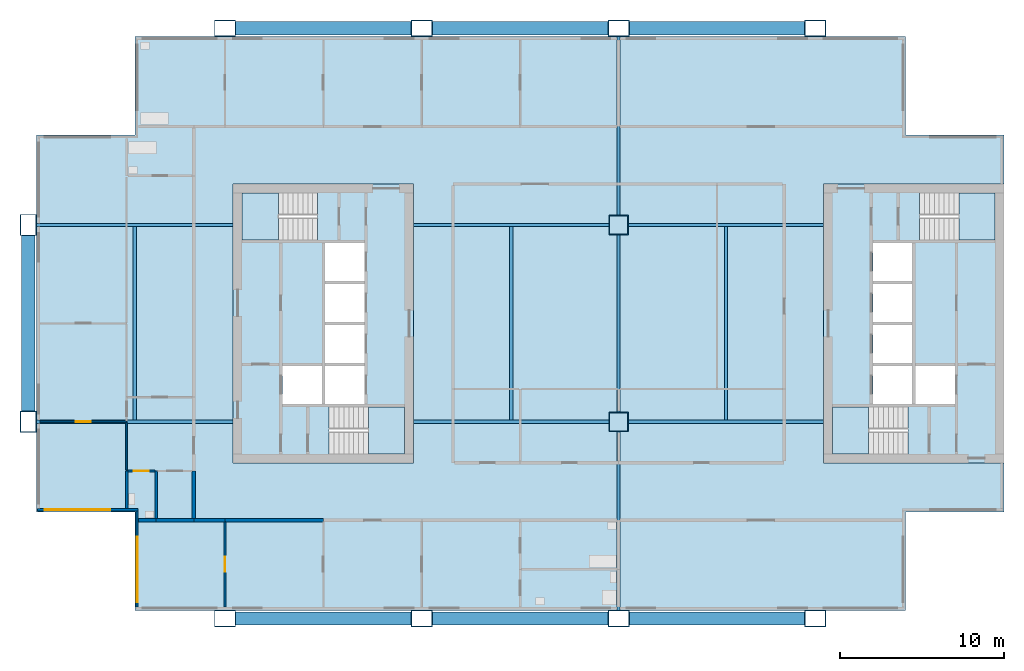
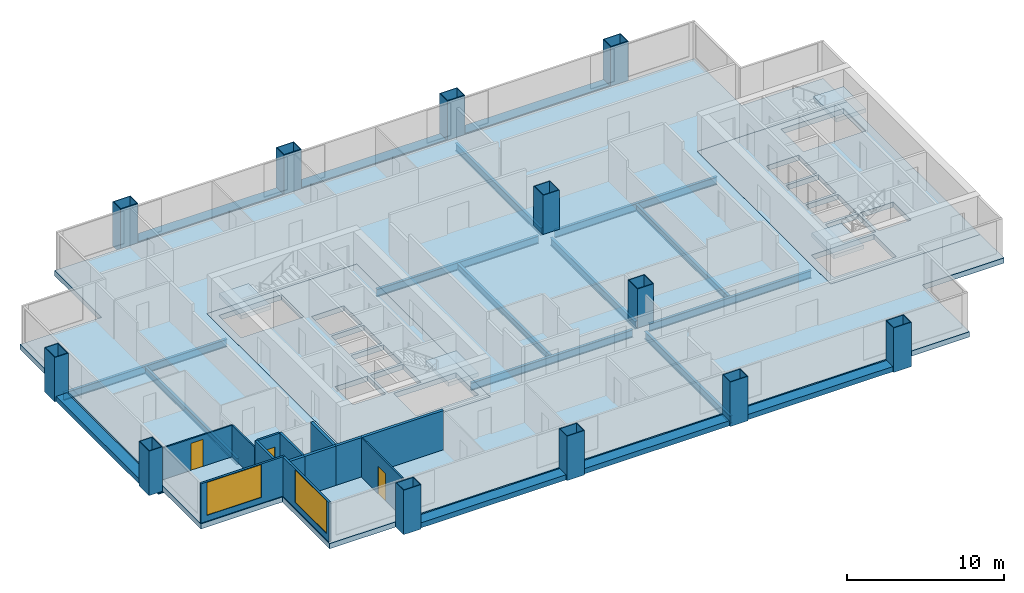
# One storey, part 1 of 8: 19 beams, 13 walls, 12 columns, 7 slabs, 3 doors, 2 windows, 5 openings, 4 elements without a shape of their own.
"""IFC4 building model written with IfcOpenShell, lengths in metres."""

from ifc_helpers import new_model, si_unit, direction, frame, frame_2d, origin, origin_2d, place, context, subcontext, project, spatial, polyline, rectangle, hollow_rectangle, i_section, outline, extrude, material, layer, layer_set, material_profile, profile_set, type_object, element, fill, aggregate, save


model = new_model("IFC4")

# Units and contexts
model_context = context("Model", 3, precision=1e-05, world=origin(), true_north=direction((0.0, 1.0)))
body_context = subcontext(model_context, "Body", "Model", "MODEL_VIEW")
ifc_project = project(units=[si_unit("LENGTHUNIT", "METRE"), si_unit("AREAUNIT", "SQUARE_METRE"), si_unit("VOLUMEUNIT", "CUBIC_METRE"), si_unit("PLANEANGLEUNIT", "RADIAN"), si_unit("MASSUNIT", "GRAM", prefix="KILO")], contexts=[model_context])

# Site, building, storey
site_placement = place(None, origin())
site = spatial("IfcSite", under=ifc_project, at=site_placement, CompositionType="ELEMENT")
building_placement = place(site_placement, origin())
building = spatial("IfcBuilding", under=site, at=building_placement, Name="Kitamizu Gate Tower and Museum", CompositionType="ELEMENT")
storey_placement = place(building_placement, frame((0.0, 0.0, 161.699951171875)))
storey = spatial("IfcBuildingStorey", under=building, at=storey_placement, Name="L42", CompositionType="ELEMENT", Elevation=161.699951171875)

# Columns
ifc_material_1 = material(Name="Steel SM490A bronze coated", Category="steel")
ifc_material_profile_1 = material_profile(ifc_material_1, hollow_rectangle(XDim=1.300048828125, YDim=1.0, WallThickness=0.050048828125, at=origin_2d()), Name="BOX 1300x1000x50")
ifc_profile_set_1 = profile_set([ifc_material_profile_1], Name="Steel SM490A bronze coated")
column_type_1 = type_object("IfcColumnType", Name="Exoskeleton column XC6 BOX 1300x1000x50", PredefinedType="COLUMN", material=ifc_profile_set_1)
for number, where, z_axis, x_axis, name in (
    (1, (0.0, 24.0, -0.39990234375), (0.0, 0.0, 1.0), (0.0, 1.0, 0.0), "Column XC6 1C L42"),
    (2, (0.0, 36.0, -0.39990234375), (0.0, 0.0, 1.0), (0.0, 1.0, 0.0), "Column XC6 1D L42"),
    (3, (12.0, 12.0, -0.39990234375), (0.0, 0.0, 1.0), (1.0, 0.0, 0.0), "Column XC6 2B L42"),
    (4, (12.0, 48.0, -0.39990234375), (0.0, 0.0, 1.0), (1.0, 0.0, 0.0), "Column XC6 2E L42"),
    (5, (24.0, 12.0, -0.39990234375), (0.0, 0.0, 1.0), (1.0, 0.0, 0.0), "Column XC6 3B L42"),
    (6, (24.0, 48.0, -0.39990234375), (0.0, 0.0, 1.0), (1.0, 0.0, 0.0), "Column XC6 3E L42"),
    (7, (36.0, 12.0, -0.39990234375), (0.0, 0.0, 1.0), (1.0, 0.0, 0.0), "Column XC6 4B L42"),
    (8, (36.0, 48.0, -0.39990234375), (0.0, 0.0, 1.0), (1.0, 0.0, 0.0), "Column XC6 4E L42"),
    (9, (48.0, 12.0, -0.39990234375), (0.0, 0.0, 1.0), (1.0, 0.0, 0.0), "Column XC6 5B L42"),
    (10, (48.0, 48.0, -0.39990234375), (0.0, 0.0, 1.0), (1.0, 0.0, 0.0), "Column XC6 5E L42"),
):
    element("IfcColumn", number, at=place(storey_placement, frame(where, z_axis=z_axis, x_axis=x_axis)), inside=storey, type_object=column_type_1, Name=name, PredefinedType="COLUMN", context=body_context, shape_type="SweptSolid", body=[
        extrude(hollow_rectangle(XDim=1.300048828125, YDim=1.0, WallThickness=0.050048828125, at=origin_2d()), origin(), (0.0, 0.0, 1.0), 3.449951171875),
    ])
ifc_material_2 = material(Name="Steel SM490A", Category="steel")
ifc_material_profile_2 = material_profile(ifc_material_2, hollow_rectangle(XDim=1.199951171875, YDim=1.199951171875, WallThickness=0.050048828125, at=origin_2d()), Name="BOX 1200x1200x50")
ifc_profile_set_2 = profile_set([ifc_material_profile_2], Name="Steel SM490A")
column_type_2 = type_object("IfcColumnType", Name="Interior column IC4 BOX 1200x1200x50", PredefinedType="COLUMN", material=ifc_profile_set_2)
for number, where, z_axis, x_axis, name in (
    (11, (36.0, 24.0, 0.0), (0.0, 0.0, 1.0), (1.0, 0.0, 0.0), "Column IC4 4C L42"),
    (12, (36.0, 36.0, 0.0), (0.0, 0.0, 1.0), (1.0, 0.0, 0.0), "Column IC4 4D L42"),
):
    element("IfcColumn", number, at=place(storey_placement, frame(where, z_axis=z_axis, x_axis=x_axis)), inside=storey, type_object=column_type_2, Name=name, PredefinedType="COLUMN", context=body_context, shape_type="SweptSolid", body=[
        extrude(hollow_rectangle(XDim=1.199951171875, YDim=1.199951171875, WallThickness=0.050048828125, at=origin_2d()), origin(), (0.0, 0.0, 1.0), 3.050048828125),
    ])

# Beams
ifc_material_3 = material(Name="Steel SM490A bronze coated", Category="steel")
ifc_material_profile_3 = material_profile(ifc_material_3, hollow_rectangle(XDim=0.800048828125, YDim=0.39990234375, WallThickness=0.0400390625, at=origin_2d()), Name="BOX 800x400x40")
ifc_profile_set_3 = profile_set([ifc_material_profile_3], Name="Steel SM490A bronze coated")
beam_type_1 = type_object("IfcBeamType", Name="Exoskeleton spandrel beam SB1 BOX 800x400x40", PredefinedType="SPANDREL", material=ifc_profile_set_3)
for number, where, z_axis, x_axis, name in (
    (13, (12.64990234375, 12.0, -0.199951171875), (1.0, 0.0, 0.0), (0.0, 1.0, 0.0), "Exoskeleton spandrel beam south 12 L42"),
    (14, (24.64990234375, 12.0, -0.199951171875), (1.0, 0.0, 0.0), (0.0, 1.0, 0.0), "Exoskeleton spandrel beam south 24 L42"),
    (15, (36.64990234375, 12.0, -0.199951171875), (1.0, 0.0, 0.0), (0.0, 1.0, 0.0), "Exoskeleton spandrel beam south 36 L42"),
    (16, (12.64990234375, 48.0, -0.199951171875), (1.0, 0.0, 0.0), (0.0, 1.0, 0.0), "Exoskeleton spandrel beam north 12 L42"),
    (17, (24.64990234375, 48.0, -0.199951171875), (1.0, 0.0, 0.0), (0.0, 1.0, 0.0), "Exoskeleton spandrel beam north 24 L42"),
    (18, (36.64990234375, 48.0, -0.199951171875), (1.0, 0.0, 0.0), (0.0, 1.0, 0.0), "Exoskeleton spandrel beam north 36 L42"),
    (19, (0.0, 24.64990234375, -0.199951171875), (0.0, 1.0, 0.0), (-1.0, 0.0, 0.0), "Exoskeleton spandrel beam west 24 L42"),
):
    element("IfcBeam", number, at=place(storey_placement, frame(where, z_axis=z_axis, x_axis=x_axis)), inside=storey, type_object=beam_type_1, Name=name, PredefinedType="SPANDREL", context=body_context, shape_type="SweptSolid", body=[
        extrude(hollow_rectangle(XDim=0.800048828125, YDim=0.39990234375, WallThickness=0.0400390625, at=origin_2d()), origin(), (0.0, 0.0, 1.0), 10.7001953125),
    ])
ifc_material_4 = material(Name="Steel SM490A", Category="steel")
ifc_material_profile_4 = material_profile(ifc_material_4, i_section(OverallWidth=0.199951171875, OverallDepth=0.5, WebThickness=0.010009765625, FlangeThickness=0.01611328125, FilletRadius=0.02001953125, at=origin_2d()), Name="H-500x200x10x16")
ifc_profile_set_4 = profile_set([ifc_material_profile_4], Name="Steel SM490A")
beam_type_2 = type_object("IfcBeamType", Name="Floor beam FB1 H 500x200x10x16", PredefinedType="BEAM", material=ifc_profile_set_4)
for number, where, z_axis, x_axis, name in (
    (20, (6.5, 24.10009765625, -0.64990234375), (0.0, 1.0, 0.0), (-1.0, 0.0, 0.0), "Floor beam FB1 L42-1"),
    (21, (29.449951171875, 24.10009765625, -0.64990234375), (0.0, 1.0, 0.0), (-1.0, 0.0, 0.0), "Floor beam FB1 L42-2"),
    (22, (42.550048828125, 24.10009765625, -0.64990234375), (0.0, 1.0, 0.0), (-1.0, 0.0, 0.0), "Floor beam FB1 L42-3"),
):
    element("IfcBeam", number, at=place(storey_placement, frame(where, z_axis=z_axis, x_axis=x_axis)), inside=storey, type_object=beam_type_2, Name=name, PredefinedType="BEAM", context=body_context, shape_type="SweptSolid", body=[
        extrude(i_section(OverallWidth=0.199951171875, OverallDepth=0.5, WebThickness=0.010009765625, FlangeThickness=0.01611328125, FilletRadius=0.02001953125, at=origin_2d()), origin(), (0.0, 0.0, 1.0), 11.7998046875),
    ])
ifc_material_5 = material(Name="Steel SM490A", Category="steel")
ifc_material_profile_5 = material_profile(ifc_material_5, i_section(OverallWidth=0.199951171875, OverallDepth=0.60009765625, WebThickness=0.010986328125, FlangeThickness=0.01708984375, FilletRadius=0.02197265625, at=origin_2d()), Name="H-600x200x11x17")
ifc_profile_set_5 = profile_set([ifc_material_profile_5], Name="Steel SM490A")
beam_type_3 = type_object("IfcBeamType", Name="Floor girder FG1 H 600x200x11x17", PredefinedType="BEAM", material=ifc_profile_set_5)
beam_1_placement = place(storey_placement, frame((36.0, 12.5, -0.699951171875), z_axis=(0.0, 1.0, 0.0), x_axis=(-1.0, 0.0, 0.0)))
element("IfcBeam", 23, at=beam_1_placement, inside=storey, type_object=beam_type_3, Name="Floor girder FG1 x36 L42", PredefinedType="BEAM", context=body_context, shape_type="SweptSolid", body=[
    extrude(i_section(OverallWidth=0.199951171875, OverallDepth=0.60009765625, WebThickness=0.010986328125, FlangeThickness=0.01708984375, FilletRadius=0.02197265625, at=origin_2d()), origin(), (0.0, 0.0, 1.0), 10.89990234375),
])
beam_2_placement = place(storey_placement, frame((36.0, 24.60009765625, -0.699951171875), z_axis=(0.0, 1.0, 0.0), x_axis=(-1.0, 0.0, 0.0)))
element("IfcBeam", 24, at=beam_2_placement, inside=storey, type_object=beam_type_3, Name="Floor girder FG1 x36 L42", PredefinedType="BEAM", context=body_context, shape_type="SweptSolid", body=[
    extrude(i_section(OverallWidth=0.199951171875, OverallDepth=0.60009765625, WebThickness=0.010986328125, FlangeThickness=0.01708984375, FilletRadius=0.02197265625, at=origin_2d()), origin(), (0.0, 0.0, 1.0), 10.7998046875),
])
beam_3_placement = place(storey_placement, frame((36.0, 36.60009765625, -0.699951171875), z_axis=(0.0, 1.0, 0.0), x_axis=(-1.0, 0.0, 0.0)))
element("IfcBeam", 25, at=beam_3_placement, inside=storey, type_object=beam_type_3, Name="Floor girder FG1 x36 L42", PredefinedType="BEAM", context=body_context, shape_type="SweptSolid", body=[
    extrude(i_section(OverallWidth=0.199951171875, OverallDepth=0.60009765625, WebThickness=0.010986328125, FlangeThickness=0.01708984375, FilletRadius=0.02197265625, at=origin_2d()), origin(), (0.0, 0.0, 1.0), 10.89990234375),
])
beam_4_placement = place(storey_placement, frame((0.5, 24.0, -0.699951171875), z_axis=(1.0, 0.0, 0.0), x_axis=(0.0, 1.0, 0.0)))
element("IfcBeam", 26, at=beam_4_placement, inside=storey, type_object=beam_type_3, Name="Floor girder FG1 y24 L42", PredefinedType="BEAM", context=body_context, shape_type="SweptSolid", body=[
    extrude(i_section(OverallWidth=0.199951171875, OverallDepth=0.60009765625, WebThickness=0.010986328125, FlangeThickness=0.01708984375, FilletRadius=0.02197265625, at=origin_2d()), origin(), (0.0, 0.0, 1.0), 12.0),
])
for number, where, z_axis, x_axis, name in (
    (27, (23.5, 24.0, -0.699951171875), (1.0, 0.0, 0.0), (0.0, 1.0, 0.0), "Floor girder FG1 y24 L42"),
    (28, (36.60009765625, 24.0, -0.699951171875), (1.0, 0.0, 0.0), (0.0, 1.0, 0.0), "Floor girder FG1 y24 L42"),
):
    element("IfcBeam", number, at=place(storey_placement, frame(where, z_axis=z_axis, x_axis=x_axis)), inside=storey, type_object=beam_type_3, Name=name, PredefinedType="BEAM", context=body_context, shape_type="SweptSolid", body=[
        extrude(i_section(OverallWidth=0.199951171875, OverallDepth=0.60009765625, WebThickness=0.010986328125, FlangeThickness=0.01708984375, FilletRadius=0.02197265625, at=origin_2d()), origin(), (0.0, 0.0, 1.0), 11.89990234375),
    ])
beam_5_placement = place(storey_placement, frame((0.5, 36.0, -0.699951171875), z_axis=(1.0, 0.0, 0.0), x_axis=(0.0, 1.0, 0.0)))
element("IfcBeam", 29, at=beam_5_placement, inside=storey, type_object=beam_type_3, Name="Floor girder FG1 y36 L42", PredefinedType="BEAM", context=body_context, shape_type="SweptSolid", body=[
    extrude(i_section(OverallWidth=0.199951171875, OverallDepth=0.60009765625, WebThickness=0.010986328125, FlangeThickness=0.01708984375, FilletRadius=0.02197265625, at=origin_2d()), origin(), (0.0, 0.0, 1.0), 12.0),
])
for number, where, z_axis, x_axis, name in (
    (30, (23.5, 36.0, -0.699951171875), (1.0, 0.0, 0.0), (0.0, 1.0, 0.0), "Floor girder FG1 y36 L42"),
    (31, (36.60009765625, 36.0, -0.699951171875), (1.0, 0.0, 0.0), (0.0, 1.0, 0.0), "Floor girder FG1 y36 L42"),
):
    element("IfcBeam", number, at=place(storey_placement, frame(where, z_axis=z_axis, x_axis=x_axis)), inside=storey, type_object=beam_type_3, Name=name, PredefinedType="BEAM", context=body_context, shape_type="SweptSolid", body=[
        extrude(i_section(OverallWidth=0.199951171875, OverallDepth=0.60009765625, WebThickness=0.010986328125, FlangeThickness=0.01708984375, FilletRadius=0.02197265625, at=origin_2d()), origin(), (0.0, 0.0, 1.0), 11.89990234375),
    ])

# Slabs
ifc_material_6 = material(Name="Concrete Fc36", Category="concrete")
ifc_layer_1 = layer(ifc_material_6, 0.39990234375)
ifc_layer_set_1 = layer_set([ifc_layer_1], Name="Concrete Fc36")
slab_type_1 = type_object("IfcSlabType", Name="Core floor slab 400", PredefinedType="FLOOR", material=ifc_layer_set_1)
slab_1_placement = place(storey_placement, frame((0.0, 0.0, -0.39990234375)))
element("IfcSlab", 32, at=slab_1_placement, inside=storey, type_object=slab_type_1, Name="Core floor slab W", PredefinedType="FLOOR", context=body_context, shape_type="SweptSolid", body=[
    extrude(outline(polyline([(12.5, 21.5), (23.5, 21.5), (23.5, 38.5), (12.5, 38.5), (12.5, 21.5)]), holes=[polyline([(15.5, 25.10009765625), (17.89990234375, 25.10009765625), (17.89990234375, 27.39990234375), (15.5, 27.39990234375), (15.5, 25.10009765625)]), polyline([(18.10009765625, 25.10009765625), (20.5, 25.10009765625), (20.5, 27.39990234375), (18.10009765625, 27.39990234375), (18.10009765625, 25.10009765625)]), polyline([(18.10009765625, 27.60009765625), (20.5, 27.60009765625), (20.5, 29.89990234375), (18.10009765625, 29.89990234375), (18.10009765625, 27.60009765625)]), polyline([(18.10009765625, 30.10009765625), (20.5, 30.10009765625), (20.5, 32.39990234375), (18.10009765625, 32.39990234375), (18.10009765625, 30.10009765625)]), polyline([(18.10009765625, 32.60009765625), (20.5, 32.60009765625), (20.5, 34.89990234375), (18.10009765625, 34.89990234375), (18.10009765625, 32.60009765625)]), polyline([(18.3505859375, 22.050048828125), (22.949951171875, 22.050048828125), (22.949951171875, 24.89990234375), (18.3505859375, 24.89990234375), (18.3505859375, 22.050048828125)]), polyline([(13.050048828125, 35.10009765625), (17.6494140625, 35.10009765625), (17.6494140625, 37.949951171875), (13.050048828125, 37.949951171875), (13.050048828125, 35.10009765625)])]), origin(), (0.0, 0.0, 1.0), 0.39990234375),
])
slab_2_placement = place(storey_placement, frame((0.0, 0.0, -0.39990234375)))
element("IfcSlab", 33, at=slab_2_placement, inside=storey, type_object=slab_type_1, Name="Core floor slab E", PredefinedType="FLOOR", context=body_context, shape_type="SweptSolid", body=[
    extrude(outline(polyline([(48.5, 21.5), (59.5, 21.5), (59.5, 38.5), (48.5, 38.5), (48.5, 21.5)]), holes=[polyline([(54.10009765625, 25.10009765625), (56.5, 25.10009765625), (56.5, 27.39990234375), (54.10009765625, 27.39990234375), (54.10009765625, 25.10009765625)]), polyline([(51.5, 25.10009765625), (53.89990234375, 25.10009765625), (53.89990234375, 27.39990234375), (51.5, 27.39990234375), (51.5, 25.10009765625)]), polyline([(51.5, 27.60009765625), (53.89990234375, 27.60009765625), (53.89990234375, 29.89990234375), (51.5, 29.89990234375), (51.5, 27.60009765625)]), polyline([(51.5, 30.10009765625), (53.89990234375, 30.10009765625), (53.89990234375, 32.39990234375), (51.5, 32.39990234375), (51.5, 30.10009765625)]), polyline([(51.5, 32.60009765625), (53.89990234375, 32.60009765625), (53.89990234375, 34.89990234375), (51.5, 34.89990234375), (51.5, 32.60009765625)]), polyline([(49.050048828125, 22.050048828125), (53.6494140625, 22.050048828125), (53.6494140625, 24.89990234375), (49.050048828125, 24.89990234375), (49.050048828125, 22.050048828125)]), polyline([(54.3505859375, 35.10009765625), (58.949951171875, 35.10009765625), (58.949951171875, 37.949951171875), (54.3505859375, 37.949951171875), (54.3505859375, 35.10009765625)])]), origin(), (0.0, 0.0, 1.0), 0.39990234375),
])
ifc_material_7 = material(Name="Concrete Fc36", Category="concrete")
ifc_layer_2 = layer(ifc_material_7, 0.39990234375)
ifc_layer_set_2 = layer_set([ifc_layer_2], Name="Concrete Fc36")
slab_type_2 = type_object("IfcSlabType", Name="Post tensioned flat slab 400", PredefinedType="FLOOR", material=ifc_layer_set_2)
slab_3_placement = place(storey_placement, frame((0.0, 0.0, -0.39990234375)))
element("IfcSlab", 34, at=slab_3_placement, inside=storey, type_object=slab_type_2, Name="Floor slab L42-1", PredefinedType="FLOOR", context=body_context, shape_type="SweptSolid", body=[
    extrude(outline(polyline([(0.5, 18.5), (0.5, 41.5), (6.5, 41.5), (6.5, 47.5), (53.5, 47.5), (53.5, 41.5), (59.5, 41.5), (59.5, 38.5), (48.5, 38.5), (48.5, 21.5), (59.5, 21.5), (59.5, 18.5), (53.5, 18.5), (53.5, 12.5), (6.5, 12.5), (6.5, 18.5), (0.5, 18.5)]), holes=[polyline([(12.5, 38.5), (12.5, 21.5), (23.5, 21.5), (23.5, 38.5), (12.5, 38.5)])]), origin(), (0.0, 0.0, 1.0), 0.39990234375),
])

# Stair, slab
ifc_material_8 = material(Name="Concrete Fc42", Category="concrete")
stair_type = type_object("IfcStairType", Name="Exit stair 1325 wide 192 rise 300 going", PredefinedType="HALF_TURN_STAIR", material=ifc_material_8)
stair_1_placement = place(storey_placement, origin())
stair_1 = element("IfcStair", 35, at=stair_1_placement, inside=storey, type_object=stair_type, Name="Exit stair ST1", PredefinedType="HALF_TURN_STAIR")
ifc_material_9 = material(Name="Concrete Fc42", Category="concrete")
ifc_layer_3 = layer(ifc_material_9, 0.300048828125)
ifc_layer_set_3 = layer_set([ifc_layer_3], Name="Concrete Fc42")
slab_type_3 = type_object("IfcSlabType", Name="Stair landing 300", PredefinedType="LANDING", material=ifc_layer_set_3)
slab_4_placement = place(storey_placement, frame((0.0, 0.0, 1.425048828125)))
slab_4 = element("IfcSlab", 36, at=slab_4_placement, type_object=slab_type_3, Name="ST1 landing 1", PredefinedType="LANDING", context=body_context, shape_type="SweptSolid", body=[
    extrude(outline(polyline([(20.75, 22.050048828125), (22.949951171875, 22.050048828125), (22.949951171875, 24.89990234375), (20.75, 24.89990234375), (20.75, 22.050048828125)])), origin(), (0.0, 0.0, 1.0), 0.300048828125),
])
aggregate(stair_1, [slab_4])

stair_2_placement = place(storey_placement, origin())
stair_2 = element("IfcStair", 37, at=stair_2_placement, inside=storey, type_object=stair_type, Name="Exit stair ST2", PredefinedType="HALF_TURN_STAIR")
slab_5_placement = place(storey_placement, frame((0.0, 0.0, 1.425048828125)))
slab_5 = element("IfcSlab", 38, at=slab_5_placement, type_object=slab_type_3, Name="ST2 landing 1", PredefinedType="LANDING", context=body_context, shape_type="SweptSolid", body=[
    extrude(outline(polyline([(13.050048828125, 35.10009765625), (15.25, 35.10009765625), (15.25, 37.949951171875), (13.050048828125, 37.949951171875), (13.050048828125, 35.10009765625)])), origin(), (0.0, 0.0, 1.0), 0.300048828125),
])
aggregate(stair_2, [slab_5])

stair_3_placement = place(storey_placement, origin())
stair_3 = element("IfcStair", 39, at=stair_3_placement, inside=storey, type_object=stair_type, Name="Exit stair ST3", PredefinedType="HALF_TURN_STAIR")
slab_6_placement = place(storey_placement, frame((0.0, 0.0, 1.425048828125)))
slab_6 = element("IfcSlab", 40, at=slab_6_placement, type_object=slab_type_3, Name="ST3 landing 1", PredefinedType="LANDING", context=body_context, shape_type="SweptSolid", body=[
    extrude(outline(polyline([(49.050048828125, 22.050048828125), (51.25, 22.050048828125), (51.25, 24.89990234375), (49.050048828125, 24.89990234375), (49.050048828125, 22.050048828125)])), origin(), (0.0, 0.0, 1.0), 0.300048828125),
])
aggregate(stair_3, [slab_6])

stair_4_placement = place(storey_placement, origin())
stair_4 = element("IfcStair", 41, at=stair_4_placement, inside=storey, type_object=stair_type, Name="Exit stair ST4", PredefinedType="HALF_TURN_STAIR")
slab_7_placement = place(storey_placement, frame((0.0, 0.0, 1.425048828125)))
slab_7 = element("IfcSlab", 42, at=slab_7_placement, type_object=slab_type_3, Name="ST4 landing 1", PredefinedType="LANDING", context=body_context, shape_type="SweptSolid", body=[
    extrude(outline(polyline([(56.75, 35.10009765625), (58.949951171875, 35.10009765625), (58.949951171875, 37.949951171875), (56.75, 37.949951171875), (56.75, 35.10009765625)])), origin(), (0.0, 0.0, 1.0), 0.300048828125),
])
aggregate(stair_4, [slab_7])

# Wall, opening, door
ifc_material_10 = material(Name="Gypsum board on galvanised stud")
ifc_layer_4 = layer(ifc_material_10, 0.10009765625)
ifc_layer_set_4 = layer_set([ifc_layer_4], Name="Gypsum board on galvanised stud")
wall_type_1 = type_object("IfcWallType", Name="Partition 100 NOT RATED", PredefinedType="PARTITIONING", material=ifc_layer_set_4)
wall_1_placement = place(storey_placement, frame((12.0, 12.719970703125, 0.0), z_axis=(0.0, 0.0, 1.0), x_axis=(0.0, 1.0, 0.0)))
wall_1 = element("IfcWall", 43, at=wall_1_placement, inside=storey, type_object=wall_type_1, Name="Partition L42-001", PredefinedType="PARTITIONING", context=body_context, shape_type="SweptSolid", body=[
    extrude(rectangle(XDim=5.179931640625, YDim=0.10009765625, at=frame_2d((2.58984375, 0.0))), origin(), (0.0, 0.0, 1.0), 3.050048828125),
])
opening_1_placement = place(wall_1_placement, frame((2.139892578125, 0.0, 0.0)))
opening_1 = element("IfcOpeningElement", 44, at=opening_1_placement, cuts=wall_1, Name="Opening L42-005", PredefinedType="OPENING", context=body_context, shape_type="SweptSolid", body=[
    extrude(rectangle(XDim=0.89990234375, YDim=2.10009765625, at=frame_2d((0.449951171875, 1.050048828125))), frame((0.0, 0.06005859375, 0.0), z_axis=(0.0, -1.0, 0.0), x_axis=(1.0, 0.0, 0.0)), (0.0, 0.0, 1.0), 0.1201171875),
])
ifc_material_11 = material(Name="Timber door set", Category="wood")
door_type_1 = type_object("IfcDoorType", Name="Room door 900", OperationType="NOTDEFINED", PredefinedType="DOOR", material=ifc_material_11)
door_1_placement = place(opening_1_placement, origin())
door_1 = element("IfcDoor", 45, at=door_1_placement, inside=storey, type_object=door_type_1, Name="Door L42-005", OperationType="SINGLE_SWING_RIGHT", OverallHeight=2.10009765625, OverallWidth=0.89990234375, PredefinedType="DOOR", context=body_context, shape_type="SweptSolid", body=[
    extrude(rectangle(XDim=0.89990234375, YDim=2.10009765625, at=frame_2d((0.449951171875, 1.050048828125))), frame((0.0, 0.02490234375, 0.0), z_axis=(0.0, -1.0, 0.0), x_axis=(1.0, 0.0, 0.0)), (0.0, 0.0, 1.0), 0.050048828125),
])
fill(opening_1, door_1)

wall_2_placement = place(storey_placement, frame((6.0, 24.0, 0.0), z_axis=(0.0, 0.0, 1.0), x_axis=(-1.0, 0.0, 0.0)))
wall_2 = element("IfcWall", 46, at=wall_2_placement, inside=storey, type_object=wall_type_1, Name="Partition L42-027", PredefinedType="PARTITIONING", context=body_context, shape_type="SweptSolid", body=[
    extrude(rectangle(XDim=5.280029296875, YDim=0.10009765625, at=frame_2d((2.64013671875, 0.0))), origin(), (0.0, 0.0, 1.0), 2.449951171875),
])
opening_2_placement = place(wall_2_placement, frame((2.18994140625, 0.0, 0.0)))
opening_2 = element("IfcOpeningElement", 47, at=opening_2_placement, cuts=wall_2, Name="Opening L42-016", PredefinedType="OPENING", context=body_context, shape_type="SweptSolid", body=[
    extrude(rectangle(XDim=0.89990234375, YDim=2.10009765625, at=frame_2d((0.449951171875, 1.050048828125))), frame((0.0, 0.06005859375, 0.0), z_axis=(0.0, -1.0, 0.0), x_axis=(1.0, 0.0, 0.0)), (0.0, 0.0, 1.0), 0.1201171875),
])
door_2_placement = place(opening_2_placement, origin())
door_2 = element("IfcDoor", 48, at=door_2_placement, inside=storey, type_object=door_type_1, Name="Door L42-016", OperationType="SINGLE_SWING_LEFT", OverallHeight=2.10009765625, OverallWidth=0.89990234375, PredefinedType="DOOR", context=body_context, shape_type="SweptSolid", body=[
    extrude(rectangle(XDim=0.89990234375, YDim=2.10009765625, at=frame_2d((0.449951171875, 1.050048828125))), frame((0.0, 0.02490234375, 0.0), z_axis=(0.0, -1.0, 0.0), x_axis=(1.0, 0.0, 0.0)), (0.0, 0.0, 1.0), 0.050048828125),
])
fill(opening_2, door_2)

# Walls
wall_3_placement = place(storey_placement, frame((6.0, 21.074951171875, 0.0), z_axis=(0.0, 0.0, 1.0), x_axis=(0.0, 1.0, 0.0)))
element("IfcWall", 49, at=wall_3_placement, inside=storey, type_object=wall_type_1, Name="Partition L42-029", PredefinedType="PARTITIONING", context=body_context, shape_type="SweptSolid", body=[
    extrude(rectangle(XDim=2.875, YDim=0.10009765625, at=frame_2d((1.4375, 0.0))), origin(), (0.0, 0.0, 1.0), 2.449951171875),
])
ifc_material_12 = material(Name="Gypsum board on galvanised stud")
ifc_layer_5 = layer(ifc_material_12, 0.14990234375)
ifc_layer_set_5 = layer_set([ifc_layer_5], Name="Gypsum board on galvanised stud")
wall_type_2 = type_object("IfcWallType", Name="Partition 150", PredefinedType="PARTITIONING", material=ifc_layer_set_5)
wall_4_placement = place(storey_placement, frame((6.0, 18.719970703125, 0.0), z_axis=(0.0, 0.0, 1.0), x_axis=(0.0, 1.0, 0.0)))
element("IfcWall", 50, at=wall_4_placement, inside=storey, type_object=wall_type_2, Name="Partition L42-028", PredefinedType="PARTITIONING", context=body_context, shape_type="SweptSolid", body=[
    extrude(rectangle(XDim=2.280029296875, YDim=0.14990234375, at=frame_2d((1.14013671875, 0.0))), origin(), (0.0, 0.0, 1.0), 3.050048828125),
])
wall_5_placement = place(storey_placement, frame((7.800048828125, 18.10009765625, 0.0), z_axis=(0.0, 0.0, 1.0), x_axis=(0.0, 1.0, 0.0)))
element("IfcWall", 51, at=wall_5_placement, inside=storey, type_object=wall_type_2, Name="Partition L42-036", PredefinedType="PARTITIONING", context=body_context, shape_type="SweptSolid", body=[
    extrude(rectangle(XDim=2.89990234375, YDim=0.14990234375, at=frame_2d((1.449951171875, 0.0))), origin(), (0.0, 0.0, 1.0), 3.050048828125),
])

# Wall, opening, door
wall_6_placement = place(storey_placement, frame((7.72509765625, 21.0, 0.0), z_axis=(0.0, 0.0, 1.0), x_axis=(-1.0, 0.0, 0.0)))
wall_6 = element("IfcWall", 52, at=wall_6_placement, inside=storey, type_object=wall_type_2, Name="Partition L42-037", PredefinedType="PARTITIONING", context=body_context, shape_type="SweptSolid", body=[
    extrude(rectangle(XDim=1.650146484375, YDim=0.14990234375, at=frame_2d((0.8251953125, 0.0))), origin(), (0.0, 0.0, 1.0), 3.050048828125),
])
opening_3_placement = place(wall_6_placement, frame((0.375, 0.0, 0.0)))
opening_3 = element("IfcOpeningElement", 53, at=opening_3_placement, cuts=wall_6, Name="Opening L42-017", PredefinedType="OPENING", context=body_context, shape_type="SweptSolid", body=[
    extrude(rectangle(XDim=0.89990234375, YDim=2.10009765625, at=frame_2d((0.449951171875, 1.050048828125))), frame((0.0, 0.0849609375, 0.0), z_axis=(0.0, -1.0, 0.0), x_axis=(1.0, 0.0, 0.0)), (0.0, 0.0, 1.0), 0.169921875),
])
ifc_material_13 = material(Name="Timber door set", Category="wood")
door_type_2 = type_object("IfcDoorType", Name="Bathroom door 900", OperationType="NOTDEFINED", PredefinedType="DOOR", material=ifc_material_13)
door_3_placement = place(opening_3_placement, origin())
door_3 = element("IfcDoor", 54, at=door_3_placement, inside=storey, type_object=door_type_2, Name="Bathroom door L42-017", OperationType="SINGLE_SWING_RIGHT", OverallHeight=2.10009765625, OverallWidth=0.89990234375, PredefinedType="DOOR", context=body_context, shape_type="SweptSolid", body=[
    extrude(rectangle(XDim=0.89990234375, YDim=2.10009765625, at=frame_2d((0.449951171875, 1.050048828125))), frame((0.0, 0.02490234375, 0.0), z_axis=(0.0, -1.0, 0.0), x_axis=(1.0, 0.0, 0.0)), (0.0, 0.0, 1.0), 0.050048828125),
])
fill(opening_3, door_3)

# Walls
ifc_material_14 = material(Name="Gypsum board on galvanised stud")
ifc_layer_6 = layer(ifc_material_14, 0.199951171875)
ifc_layer_set_6 = layer_set([ifc_layer_6], Name="Gypsum board on galvanised stud")
wall_type_3 = type_object("IfcWallType", Name="Partition 200", PredefinedType="PARTITIONING", material=ifc_layer_set_6)
wall_7_placement = place(storey_placement, frame((7.800048828125, 18.0, 0.0), z_axis=(0.0, 0.0, 1.0), x_axis=(-1.0, 0.0, 0.0)))
element("IfcWall", 55, at=wall_7_placement, inside=storey, type_object=wall_type_3, Name="Partition L42-002", PredefinedType="PARTITIONING", context=body_context, shape_type="SweptSolid", body=[
    extrude(rectangle(XDim=1.080078125, YDim=0.199951171875, at=frame_2d((0.5400390625, 0.0))), origin(), (0.0, 0.0, 1.0), 3.050048828125),
])
wall_8_placement = place(storey_placement, frame((10.10009765625, 18.0, 0.0), z_axis=(0.0, 0.0, 1.0), x_axis=(-1.0, 0.0, 0.0)))
element("IfcWall", 56, at=wall_8_placement, inside=storey, type_object=wall_type_3, Name="Partition L42-003", PredefinedType="PARTITIONING", context=body_context, shape_type="SweptSolid", body=[
    extrude(rectangle(XDim=2.300048828125, YDim=0.199951171875, at=frame_2d((1.14990234375, 0.0))), origin(), (0.0, 0.0, 1.0), 3.050048828125),
])
wall_9_placement = place(storey_placement, frame((12.0, 18.0, 0.0), z_axis=(0.0, 0.0, 1.0), x_axis=(-1.0, 0.0, 0.0)))
element("IfcWall", 57, at=wall_9_placement, inside=storey, type_object=wall_type_3, Name="Partition L42-004", PredefinedType="PARTITIONING", context=body_context, shape_type="SweptSolid", body=[
    extrude(rectangle(XDim=1.89990234375, YDim=0.199951171875, at=frame_2d((0.949951171875, 0.0))), origin(), (0.0, 0.0, 1.0), 3.050048828125),
])
wall_10_placement = place(storey_placement, frame((18.0, 18.0, 0.0), z_axis=(0.0, 0.0, 1.0), x_axis=(-1.0, 0.0, 0.0)))
element("IfcWall", 58, at=wall_10_placement, inside=storey, type_object=wall_type_3, Name="Partition L42-006", PredefinedType="PARTITIONING", context=body_context, shape_type="SweptSolid", body=[
    extrude(rectangle(XDim=6.0, YDim=0.199951171875, at=frame_2d((3.0, 0.0))), origin(), (0.0, 0.0, 1.0), 3.050048828125),
])
wall_11_placement = place(storey_placement, frame((10.10009765625, 18.10009765625, 0.0), z_axis=(0.0, 0.0, 1.0), x_axis=(0.0, 1.0, 0.0)))
element("IfcWall", 59, at=wall_11_placement, inside=storey, type_object=wall_type_3, Name="Partition L42-039", PredefinedType="PARTITIONING", context=body_context, shape_type="SweptSolid", body=[
    extrude(rectangle(XDim=2.89990234375, YDim=0.199951171875, at=frame_2d((1.449951171875, 0.0))), origin(), (0.0, 0.0, 1.0), 3.050048828125),
])

# Wall, opening, window
ifc_material_15 = material(Name="Bronze anodised aluminium frame with insulated spandrel and tinted glass", Category="aluminium")
ifc_layer_7 = layer(ifc_material_15, 0.14990234375)
ifc_layer_set_7 = layer_set([ifc_layer_7], Name="Bronze anodised aluminium frame with insulated spandrel and tinted glass")
wall_type_4 = type_object("IfcWallType", Name="WINDOW WALL 150 BRONZE FRAME EI 30", PredefinedType="ELEMENTEDWALL", material=ifc_layer_set_7)
wall_12_placement = place(storey_placement, frame((0.56005859375, 18.635009765625, 0.0), z_axis=(0.0, 0.0, 1.0), x_axis=(1.0, 0.0, 0.0)))
wall_12 = element("IfcWall", 60, at=wall_12_placement, inside=storey, type_object=wall_type_4, Name="Window wall south L42", PredefinedType="ELEMENTEDWALL", context=body_context, shape_type="SweptSolid", body=[
    extrude(rectangle(XDim=6.14990234375, YDim=0.14990234375, at=frame_2d((3.074951171875, 0.0))), origin(), (0.0, 0.0, 1.0), 3.050048828125),
])
opening_4_placement = place(wall_12_placement, frame((0.43994140625, 0.0, 0.449951171875)))
opening_4 = element("IfcOpeningElement", 61, at=opening_4_placement, cuts=wall_12, Name="Opening W16", PredefinedType="OPENING", context=body_context, shape_type="SweptSolid", body=[
    extrude(rectangle(XDim=4.0, YDim=2.550048828125, at=frame_2d((2.0, 1.27490234375))), frame((0.0, 0.0849609375, 0.0), z_axis=(0.0, -1.0, 0.0), x_axis=(1.0, 0.0, 0.0)), (0.0, 0.0, 1.0), 0.169921875),
])
ifc_material_16 = material(Name="Bronze anodised aluminium frame, tinted triple glazing", Category="aluminium")
window_type = type_object("IfcWindowType", Name="WINDOW 4000 x 2550 SILL 450", PartitioningType="SINGLE_PANEL", PredefinedType="WINDOW", material=ifc_material_16)
window_1_placement = place(opening_4_placement, origin())
window_1 = element("IfcWindow", 62, at=window_1_placement, inside=storey, type_object=window_type, Name="Window W16 L42", OverallHeight=2.550048828125, OverallWidth=4.0, PartitioningType="SINGLE_PANEL", PredefinedType="WINDOW", context=body_context, shape_type="SweptSolid", body=[
    extrude(rectangle(XDim=4.0, YDim=2.550048828125, at=frame_2d((2.0, 1.27490234375))), frame((0.0, 0.030029296875, 0.0), z_axis=(0.0, -1.0, 0.0), x_axis=(1.0, 0.0, 0.0)), (0.0, 0.0, 1.0), 0.06005859375),
])
fill(opening_4, window_1)

wall_13_placement = place(storey_placement, frame((6.635009765625, 12.7099609375, 0.0), z_axis=(0.0, 0.0, 1.0), x_axis=(0.0, 1.0, 0.0)))
wall_13 = element("IfcWall", 63, at=wall_13_placement, inside=storey, type_object=wall_type_4, Name="Window wall west L42", PredefinedType="ELEMENTEDWALL", context=body_context, shape_type="SweptSolid", body=[
    extrude(rectangle(XDim=5.85009765625, YDim=0.14990234375, at=frame_2d((2.925048828125, 0.0))), origin(), (0.0, 0.0, 1.0), 3.050048828125),
])
opening_5_placement = place(wall_13_placement, frame((0.2900390625, 0.0, 0.449951171875)))
opening_5 = element("IfcOpeningElement", 64, at=opening_5_placement, cuts=wall_13, Name="Opening W16", PredefinedType="OPENING", context=body_context, shape_type="SweptSolid", body=[
    extrude(rectangle(XDim=4.0, YDim=2.550048828125, at=frame_2d((2.0, 1.27490234375))), frame((0.0, 0.0849609375, 0.0), z_axis=(0.0, -1.0, 0.0), x_axis=(1.0, 0.0, 0.0)), (0.0, 0.0, 1.0), 0.169921875),
])
window_2_placement = place(opening_5_placement, origin())
window_2 = element("IfcWindow", 65, at=window_2_placement, inside=storey, type_object=window_type, Name="Window W16 L42", OverallHeight=2.550048828125, OverallWidth=4.0, PartitioningType="SINGLE_PANEL", PredefinedType="WINDOW", context=body_context, shape_type="SweptSolid", body=[
    extrude(rectangle(XDim=4.0, YDim=2.550048828125, at=frame_2d((2.0, 1.27490234375))), frame((0.0, 0.030029296875, 0.0), z_axis=(0.0, -1.0, 0.0), x_axis=(1.0, 0.0, 0.0)), (0.0, 0.0, 1.0), 0.06005859375),
])
fill(opening_5, window_2)

save(model, "model.ifc")
